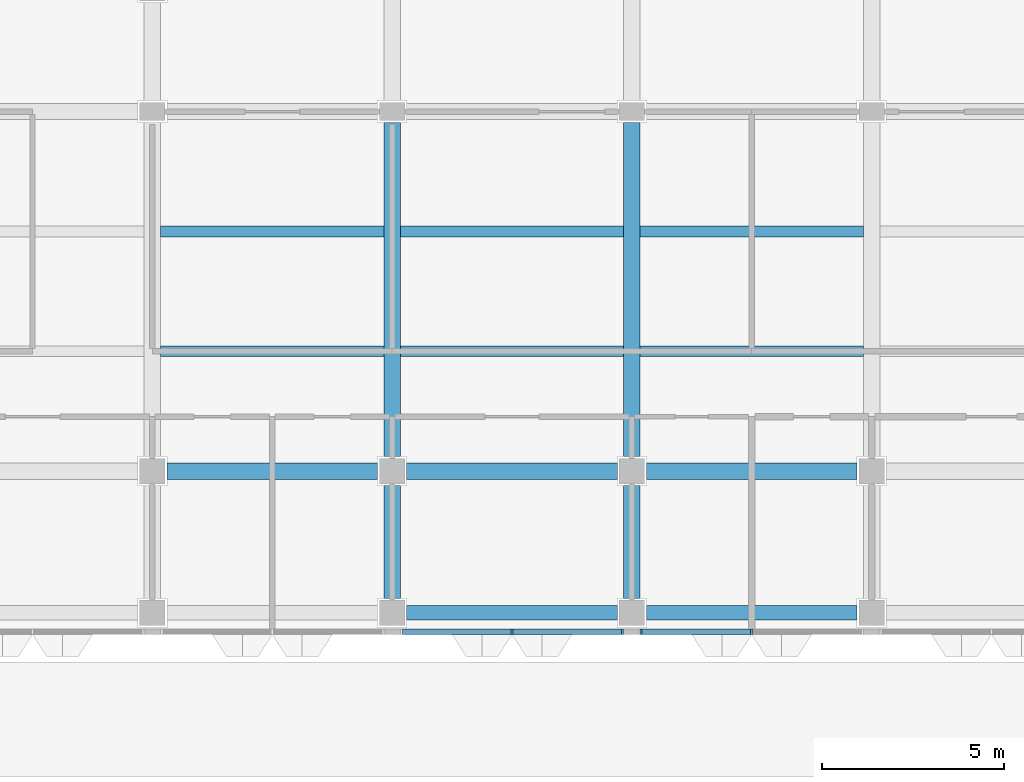
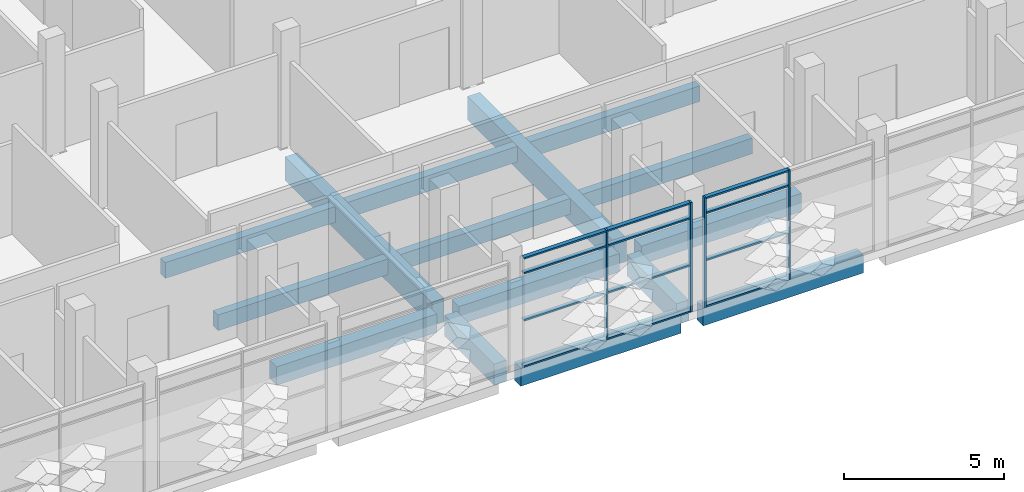
# One storey, part 6 of 109: 16 members, 15 beams, 2 elements without a shape of their own.
"""IFC4 building model written with IfcOpenShell, lengths in metres."""

from ifc_helpers import new_model, si_unit, direction, frame, origin, origin_2d, place, context, subcontext, project, spatial, rectangle, extrude, material, material_profile, profile_set, type_object, element, aggregate, save


model = new_model("IFC4")

# Units and contexts
model_context = context("Model", 3, precision=1e-05, world=origin(), true_north=direction((0.0, 1.0)))
body_context = subcontext(model_context, "Body", "Model", "MODEL_VIEW")
ifc_project = project(units=[si_unit("LENGTHUNIT", "METRE"), si_unit("AREAUNIT", "SQUARE_METRE"), si_unit("VOLUMEUNIT", "CUBIC_METRE"), si_unit("PLANEANGLEUNIT", "RADIAN"), si_unit("MASSUNIT", "GRAM", prefix="KILO")], contexts=[model_context])

# Site, building, storey
site_placement = place(None, origin())
site = spatial("IfcSite", under=ifc_project, at=site_placement, CompositionType="ELEMENT")
building_placement = place(site_placement, origin())
building = spatial("IfcBuilding", under=site, at=building_placement, Name="Lantern Court Research Institute", CompositionType="ELEMENT")
storey_placement = place(building_placement, frame((0.0, 0.0, 14.39990234375)))
storey = spatial("IfcBuildingStorey", under=building, at=storey_placement, Name="L03", CompositionType="ELEMENT", Elevation=14.39990234375)

# Curtain wall, members
ifc_material_1 = material(Name="Aluminium alloy 6063-T6", Category="aluminium")
curtain_wall_type = type_object("IfcCurtainWallType", Name="Curtain wall 6150 x 4200 x 150 aluminium frame", PredefinedType="NOTDEFINED", material=ifc_material_1)
curtain_wall_1_placement = place(storey_placement, origin())
curtain_wall_1 = element("IfcCurtainWall", 1, at=curtain_wall_1_placement, inside=storey, type_object=curtain_wall_type, Name="Curtain wall CW051", PredefinedType="NOTDEFINED")
ifc_material_2 = material(Name="Aluminium alloy 6063-T6", Category="aluminium")
ifc_material_profile_1 = material_profile(ifc_material_2, rectangle(XDim=0.14990234375, YDim=0.06005859375, at=origin_2d()), Name="Mullion 150 x 60")
ifc_profile_set_1 = profile_set([ifc_material_profile_1], Name="Aluminium alloy 6063-T6")
member_type_1 = type_object("IfcMemberType", Name="Mullion 150 x 60 aluminium", PredefinedType="MULLION", material=ifc_profile_set_1)
member_1_placement = place(storey_placement, frame((23.10009765625, -4.425048828125, 0.0), z_axis=(0.0, 0.0, 1.0), x_axis=(0.0, -1.0, 0.0)))
member_1 = element("IfcMember", 2, at=member_1_placement, type_object=member_type_1, Name="CW051 mullion 2", PredefinedType="MULLION", context=body_context, shape_type="SweptSolid", body=[
    extrude(rectangle(XDim=0.14990234375, YDim=0.06005859375, at=origin_2d()), origin(), (0.0, 0.0, 1.0), 4.2001953125),
])
member_2_placement = place(storey_placement, frame((26.14501953125, -4.425048828125, 0.0), z_axis=(0.0, 0.0, 1.0), x_axis=(0.0, -1.0, 0.0)))
member_2 = element("IfcMember", 3, at=member_2_placement, type_object=member_type_1, Name="CW051 mullion 3", PredefinedType="MULLION", context=body_context, shape_type="SweptSolid", body=[
    extrude(rectangle(XDim=0.14990234375, YDim=0.06005859375, at=origin_2d()), origin(), (0.0, 0.0, 1.0), 4.2001953125),
])

curtain_wall_2_placement = place(storey_placement, origin())
curtain_wall_2 = element("IfcCurtainWall", 4, at=curtain_wall_2_placement, inside=storey, type_object=curtain_wall_type, Name="Curtain wall CW052", PredefinedType="NOTDEFINED")
member_3_placement = place(storey_placement, frame((26.655029296875, -4.425048828125, 0.0), z_axis=(0.0, 0.0, 1.0), x_axis=(0.0, -1.0, 0.0)))
member_3 = element("IfcMember", 5, at=member_3_placement, type_object=member_type_1, Name="CW052 mullion 1", PredefinedType="MULLION", context=body_context, shape_type="SweptSolid", body=[
    extrude(rectangle(XDim=0.14990234375, YDim=0.06005859375, at=origin_2d()), origin(), (0.0, 0.0, 1.0), 4.2001953125),
])
member_4_placement = place(storey_placement, frame((29.699951171875, -4.425048828125, 0.0), z_axis=(0.0, 0.0, 1.0), x_axis=(0.0, -1.0, 0.0)))
member_4 = element("IfcMember", 6, at=member_4_placement, type_object=member_type_1, Name="CW052 mullion 2", PredefinedType="MULLION", context=body_context, shape_type="SweptSolid", body=[
    extrude(rectangle(XDim=0.14990234375, YDim=0.06005859375, at=origin_2d()), origin(), (0.0, 0.0, 1.0), 4.2001953125),
])

# Beams
ifc_material_3 = material(Name="Concrete C40/50", Category="concrete")
ifc_material_profile_2 = material_profile(ifc_material_3, rectangle(XDim=0.449951171875, YDim=0.699951171875, at=origin_2d()), Name="RC beam 450 x 700")
ifc_profile_set_2 = profile_set([ifc_material_profile_2], Name="Concrete C40/50")
beam_type_1 = type_object("IfcBeamType", Name="RC beam 450 x 700", PredefinedType="BEAM", material=ifc_profile_set_2)
beam_1_placement = place(storey_placement, frame((13.60009765625, 0.0, -0.64990234375), z_axis=(1.0, 0.0, 0.0), x_axis=(0.0, 1.0, 0.0)))
element("IfcBeam", 7, at=beam_1_placement, inside=storey, type_object=beam_type_1, Name="Beam L03 grid A/3-4", PredefinedType="BEAM", context=body_context, shape_type="SweptSolid", body=[
    extrude(rectangle(XDim=0.449951171875, YDim=0.699951171875, at=origin_2d()), origin(), (0.0, 0.0, 1.0), 5.7998046875),
])
for number, where, z_axis, x_axis, name in (
    (8, (20.199951171875, 0.0, -0.64990234375), (1.0, 0.0, 0.0), (0.0, 1.0, 0.0), "Beam L03 grid A/4-5"),
    (9, (26.800048828125, 0.0, -0.64990234375), (1.0, 0.0, 0.0), (0.0, 1.0, 0.0), "Beam L03 grid A/5-6"),
):
    element("IfcBeam", number, at=place(storey_placement, frame(where, z_axis=z_axis, x_axis=x_axis)), inside=storey, type_object=beam_type_1, Name=name, PredefinedType="BEAM", context=body_context, shape_type="SweptSolid", body=[
        extrude(rectangle(XDim=0.449951171875, YDim=0.699951171875, at=origin_2d()), origin(), (0.0, 0.0, 1.0), 5.800048828125),
    ])
ifc_material_4 = material(Name="Concrete C40/50", Category="concrete")
ifc_material_profile_3 = material_profile(ifc_material_4, rectangle(XDim=0.39990234375, YDim=0.699951171875, at=origin_2d()), Name="RC beam 400 x 700")
ifc_profile_set_3 = profile_set([ifc_material_profile_3], Name="Concrete C40/50")
beam_type_2 = type_object("IfcBeamType", Name="RC edge beam 400 x 700", PredefinedType="BEAM", material=ifc_profile_set_3)
for number, where, z_axis, x_axis, name in (
    (10, (20.199951171875, -3.89990234375, -0.64990234375), (1.0, 0.0, 0.0), (0.0, 1.0, 0.0), "Edge beam L03 grid Y/4-5"),
    (11, (26.800048828125, -3.89990234375, -0.64990234375), (1.0, 0.0, 0.0), (0.0, 1.0, 0.0), "Edge beam L03 grid Y/5-6"),
):
    element("IfcBeam", number, at=place(storey_placement, frame(where, z_axis=z_axis, x_axis=x_axis)), inside=storey, type_object=beam_type_2, Name=name, PredefinedType="BEAM", context=body_context, shape_type="SweptSolid", body=[
        extrude(rectangle(XDim=0.39990234375, YDim=0.699951171875, at=origin_2d()), origin(), (0.0, 0.0, 1.0), 5.800048828125),
    ])
ifc_material_5 = material(Name="Concrete C40/50", Category="concrete")
ifc_material_profile_4 = material_profile(ifc_material_5, rectangle(XDim=0.449951171875, YDim=0.800048828125, at=origin_2d()), Name="RC beam 450 x 800")
ifc_profile_set_4 = profile_set([ifc_material_profile_4], Name="Concrete C40/50")
beam_type_3 = type_object("IfcBeamType", Name="RC girder 450 x 800", PredefinedType="BEAM", material=ifc_profile_set_4)
for number, where, z_axis, x_axis, name in (
    (12, (19.800048828125, -3.5, -0.699951171875), (0.0, 1.0, 0.0), (-1.0, 0.0, 0.0), "Girder L03 grid 4/Y-A"),
    (13, (26.39990234375, -3.5, -0.699951171875), (0.0, 1.0, 0.0), (-1.0, 0.0, 0.0), "Girder L03 grid 5/Y-A"),
):
    element("IfcBeam", number, at=place(storey_placement, frame(where, z_axis=z_axis, x_axis=x_axis)), inside=storey, type_object=beam_type_3, Name=name, PredefinedType="BEAM", context=body_context, shape_type="SweptSolid", body=[
        extrude(rectangle(XDim=0.449951171875, YDim=0.800048828125, at=origin_2d()), origin(), (0.0, 0.0, 1.0), 3.10009765625),
    ])
ifc_material_6 = material(Name="Concrete C40/50", Category="concrete")
ifc_material_profile_5 = material_profile(ifc_material_6, rectangle(XDim=0.449951171875, YDim=0.89990234375, at=origin_2d()), Name="RC beam 450 x 900")
ifc_profile_set_5 = profile_set([ifc_material_profile_5], Name="Concrete C40/50")
beam_type_4 = type_object("IfcBeamType", Name="RC girder 450 x 900", PredefinedType="BEAM", material=ifc_profile_set_5)
for number, where, z_axis, x_axis, name in (
    (14, (19.800048828125, 0.39990234375, -0.75), (0.0, 1.0, 0.0), (-1.0, 0.0, 0.0), "Girder L03 grid 4/A-B"),
    (15, (26.39990234375, 0.39990234375, -0.75), (0.0, 1.0, 0.0), (-1.0, 0.0, 0.0), "Girder L03 grid 5/A-B"),
):
    element("IfcBeam", number, at=place(storey_placement, frame(where, z_axis=z_axis, x_axis=x_axis)), inside=storey, type_object=beam_type_4, Name=name, PredefinedType="BEAM", context=body_context, shape_type="SweptSolid", body=[
        extrude(rectangle(XDim=0.449951171875, YDim=0.89990234375, at=origin_2d()), origin(), (0.0, 0.0, 1.0), 9.2001953125),
    ])
ifc_material_7 = material(Name="Concrete C40/50", Category="concrete")
ifc_material_profile_6 = material_profile(ifc_material_7, rectangle(XDim=0.300048828125, YDim=0.60009765625, at=origin_2d()), Name="RC beam 300 x 600")
ifc_profile_set_6 = profile_set([ifc_material_profile_6], Name="Concrete C40/50")
beam_type_5 = type_object("IfcBeamType", Name="RC secondary beam 300 x 600", PredefinedType="BEAM", material=ifc_profile_set_6)
beam_2_placement = place(storey_placement, frame((13.425048828125, 3.300048828125, -0.599853515625), z_axis=(1.0, 0.0, 0.0), x_axis=(0.0, 1.0, 0.0)))
element("IfcBeam", 16, at=beam_2_placement, inside=storey, type_object=beam_type_5, Name="Secondary beam L03 grids 3-4 / A-B, line 1", PredefinedType="BEAM", context=body_context, shape_type="SweptSolid", body=[
    extrude(rectangle(XDim=0.300048828125, YDim=0.60009765625, at=origin_2d()), origin(), (0.0, 0.0, 1.0), 6.14990234375),
])
beam_3_placement = place(storey_placement, frame((20.02490234375, 3.300048828125, -0.599853515625), z_axis=(1.0, 0.0, 0.0), x_axis=(0.0, 1.0, 0.0)))
element("IfcBeam", 17, at=beam_3_placement, inside=storey, type_object=beam_type_5, Name="Secondary beam L03 grids 4-5 / A-B, line 1", PredefinedType="BEAM", context=body_context, shape_type="SweptSolid", body=[
    extrude(rectangle(XDim=0.300048828125, YDim=0.60009765625, at=origin_2d()), origin(), (0.0, 0.0, 1.0), 6.150146484375),
])
for number, where, z_axis, x_axis, name in (
    (18, (26.625, 3.300048828125, -0.599853515625), (1.0, 0.0, 0.0), (0.0, 1.0, 0.0), "Secondary beam L03 grids 5-6 / A-B, line 1"),
    (19, (13.425048828125, 6.60009765625, -0.599853515625), (1.0, 0.0, 0.0), (0.0, 1.0, 0.0), "Secondary beam L03 grids 3-4 / A-B, line 2"),
):
    element("IfcBeam", number, at=place(storey_placement, frame(where, z_axis=z_axis, x_axis=x_axis)), inside=storey, type_object=beam_type_5, Name=name, PredefinedType="BEAM", context=body_context, shape_type="SweptSolid", body=[
        extrude(rectangle(XDim=0.300048828125, YDim=0.60009765625, at=origin_2d()), origin(), (0.0, 0.0, 1.0), 6.14990234375),
    ])
beam_4_placement = place(storey_placement, frame((20.02490234375, 6.60009765625, -0.599853515625), z_axis=(1.0, 0.0, 0.0), x_axis=(0.0, 1.0, 0.0)))
element("IfcBeam", 20, at=beam_4_placement, inside=storey, type_object=beam_type_5, Name="Secondary beam L03 grids 4-5 / A-B, line 2", PredefinedType="BEAM", context=body_context, shape_type="SweptSolid", body=[
    extrude(rectangle(XDim=0.300048828125, YDim=0.60009765625, at=origin_2d()), origin(), (0.0, 0.0, 1.0), 6.150146484375),
])
beam_5_placement = place(storey_placement, frame((26.625, 6.60009765625, -0.599853515625), z_axis=(1.0, 0.0, 0.0), x_axis=(0.0, 1.0, 0.0)))
element("IfcBeam", 21, at=beam_5_placement, inside=storey, type_object=beam_type_5, Name="Secondary beam L03 grids 5-6 / A-B, line 2", PredefinedType="BEAM", context=body_context, shape_type="SweptSolid", body=[
    extrude(rectangle(XDim=0.300048828125, YDim=0.60009765625, at=origin_2d()), origin(), (0.0, 0.0, 1.0), 6.14990234375),
])

# Member
ifc_material_8 = material(Name="Aluminium alloy 6063-T6", Category="aluminium")
ifc_material_profile_7 = material_profile(ifc_material_8, rectangle(XDim=0.14990234375, YDim=0.06005859375, at=origin_2d()), Name="Transom 150 x 60")
ifc_profile_set_7 = profile_set([ifc_material_profile_7], Name="Aluminium alloy 6063-T6")
member_type_2 = type_object("IfcMemberType", Name="Transom 150 x 60 aluminium", PredefinedType="USERDEFINED", material=ifc_profile_set_7)
member_5_placement = place(storey_placement, frame((23.070068359375, -4.425048828125, 0.030029296875), z_axis=(-1.0, 0.0, 0.0), x_axis=(0.0, -1.0, 0.0)))
member_5 = element("IfcMember", 22, at=member_5_placement, type_object=member_type_2, Name="CW051 transom 1.1", ObjectType="TRANSOM", PredefinedType="USERDEFINED", context=body_context, shape_type="SweptSolid", body=[
    extrude(rectangle(XDim=0.14990234375, YDim=0.06005859375, at=origin_2d()), origin(), (0.0, 0.0, 1.0), 2.985107421875),
])

member_6_placement = place(storey_placement, frame((23.070068359375, -4.425048828125, 1.800048828125), z_axis=(-1.0, 0.0, 0.0), x_axis=(0.0, -1.0, 0.0)))
member_6 = element("IfcMember", 23, at=member_6_placement, type_object=member_type_2, Name="CW051 transom 1.2", ObjectType="TRANSOM", PredefinedType="USERDEFINED", context=body_context, shape_type="SweptSolid", body=[
    extrude(rectangle(XDim=0.14990234375, YDim=0.06005859375, at=origin_2d()), origin(), (0.0, 0.0, 1.0), 2.985107421875),
])

member_7_placement = place(storey_placement, frame((23.070068359375, -4.425048828125, 3.60009765625), z_axis=(-1.0, 0.0, 0.0), x_axis=(0.0, -1.0, 0.0)))
member_7 = element("IfcMember", 24, at=member_7_placement, type_object=member_type_2, Name="CW051 transom 1.3", ObjectType="TRANSOM", PredefinedType="USERDEFINED", context=body_context, shape_type="SweptSolid", body=[
    extrude(rectangle(XDim=0.14990234375, YDim=0.06005859375, at=origin_2d()), origin(), (0.0, 0.0, 1.0), 2.985107421875),
])

member_8_placement = place(storey_placement, frame((23.070068359375, -4.425048828125, 4.170166015625), z_axis=(-1.0, 0.0, 0.0), x_axis=(0.0, -1.0, 0.0)))
member_8 = element("IfcMember", 25, at=member_8_placement, type_object=member_type_2, Name="CW051 transom 1.4", ObjectType="TRANSOM", PredefinedType="USERDEFINED", context=body_context, shape_type="SweptSolid", body=[
    extrude(rectangle(XDim=0.14990234375, YDim=0.06005859375, at=origin_2d()), origin(), (0.0, 0.0, 1.0), 2.985107421875),
])

member_9_placement = place(storey_placement, frame((26.114990234375, -4.425048828125, 0.030029296875), z_axis=(-1.0, 0.0, 0.0), x_axis=(0.0, -1.0, 0.0)))
member_9 = element("IfcMember", 26, at=member_9_placement, type_object=member_type_2, Name="CW051 transom 2.1", ObjectType="TRANSOM", PredefinedType="USERDEFINED", context=body_context, shape_type="SweptSolid", body=[
    extrude(rectangle(XDim=0.14990234375, YDim=0.06005859375, at=origin_2d()), origin(), (0.0, 0.0, 1.0), 2.985107421875),
])

member_10_placement = place(storey_placement, frame((26.114990234375, -4.425048828125, 1.800048828125), z_axis=(-1.0, 0.0, 0.0), x_axis=(0.0, -1.0, 0.0)))
member_10 = element("IfcMember", 27, at=member_10_placement, type_object=member_type_2, Name="CW051 transom 2.2", ObjectType="TRANSOM", PredefinedType="USERDEFINED", context=body_context, shape_type="SweptSolid", body=[
    extrude(rectangle(XDim=0.14990234375, YDim=0.06005859375, at=origin_2d()), origin(), (0.0, 0.0, 1.0), 2.985107421875),
])

member_11_placement = place(storey_placement, frame((26.114990234375, -4.425048828125, 3.60009765625), z_axis=(-1.0, 0.0, 0.0), x_axis=(0.0, -1.0, 0.0)))
member_11 = element("IfcMember", 28, at=member_11_placement, type_object=member_type_2, Name="CW051 transom 2.3", ObjectType="TRANSOM", PredefinedType="USERDEFINED", context=body_context, shape_type="SweptSolid", body=[
    extrude(rectangle(XDim=0.14990234375, YDim=0.06005859375, at=origin_2d()), origin(), (0.0, 0.0, 1.0), 2.985107421875),
])

member_12_placement = place(storey_placement, frame((26.114990234375, -4.425048828125, 4.170166015625), z_axis=(-1.0, 0.0, 0.0), x_axis=(0.0, -1.0, 0.0)))
member_12 = element("IfcMember", 29, at=member_12_placement, type_object=member_type_2, Name="CW051 transom 2.4", ObjectType="TRANSOM", PredefinedType="USERDEFINED", context=body_context, shape_type="SweptSolid", body=[
    extrude(rectangle(XDim=0.14990234375, YDim=0.06005859375, at=origin_2d()), origin(), (0.0, 0.0, 1.0), 2.985107421875),
])

aggregate(curtain_wall_1, [member_1, member_2, member_5, member_6, member_7, member_8, member_9, member_10, member_11, member_12])

member_13_placement = place(storey_placement, frame((29.669921875, -4.425048828125, 0.030029296875), z_axis=(-1.0, 0.0, 0.0), x_axis=(0.0, -1.0, 0.0)))
member_13 = element("IfcMember", 30, at=member_13_placement, type_object=member_type_2, Name="CW052 transom 1.1", ObjectType="TRANSOM", PredefinedType="USERDEFINED", context=body_context, shape_type="SweptSolid", body=[
    extrude(rectangle(XDim=0.14990234375, YDim=0.06005859375, at=origin_2d()), origin(), (0.0, 0.0, 1.0), 2.98486328125),
])

member_14_placement = place(storey_placement, frame((29.669921875, -4.425048828125, 1.800048828125), z_axis=(-1.0, 0.0, 0.0), x_axis=(0.0, -1.0, 0.0)))
member_14 = element("IfcMember", 31, at=member_14_placement, type_object=member_type_2, Name="CW052 transom 1.2", ObjectType="TRANSOM", PredefinedType="USERDEFINED", context=body_context, shape_type="SweptSolid", body=[
    extrude(rectangle(XDim=0.14990234375, YDim=0.06005859375, at=origin_2d()), origin(), (0.0, 0.0, 1.0), 2.98486328125),
])

member_15_placement = place(storey_placement, frame((29.669921875, -4.425048828125, 3.60009765625), z_axis=(-1.0, 0.0, 0.0), x_axis=(0.0, -1.0, 0.0)))
member_15 = element("IfcMember", 32, at=member_15_placement, type_object=member_type_2, Name="CW052 transom 1.3", ObjectType="TRANSOM", PredefinedType="USERDEFINED", context=body_context, shape_type="SweptSolid", body=[
    extrude(rectangle(XDim=0.14990234375, YDim=0.06005859375, at=origin_2d()), origin(), (0.0, 0.0, 1.0), 2.98486328125),
])

member_16_placement = place(storey_placement, frame((29.669921875, -4.425048828125, 4.170166015625), z_axis=(-1.0, 0.0, 0.0), x_axis=(0.0, -1.0, 0.0)))
member_16 = element("IfcMember", 33, at=member_16_placement, type_object=member_type_2, Name="CW052 transom 1.4", ObjectType="TRANSOM", PredefinedType="USERDEFINED", context=body_context, shape_type="SweptSolid", body=[
    extrude(rectangle(XDim=0.14990234375, YDim=0.06005859375, at=origin_2d()), origin(), (0.0, 0.0, 1.0), 2.98486328125),
])

aggregate(curtain_wall_2, [member_3, member_4, member_13, member_14, member_15, member_16])

save(model, "model.ifc")
